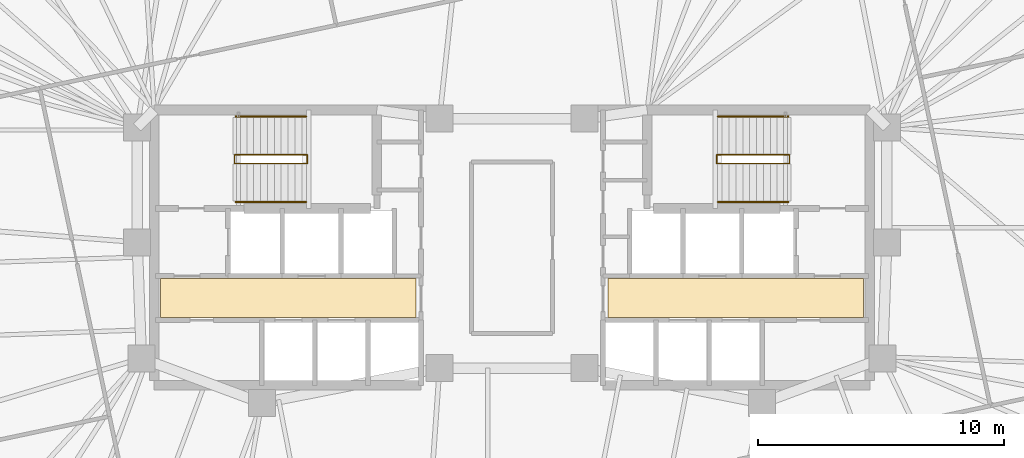
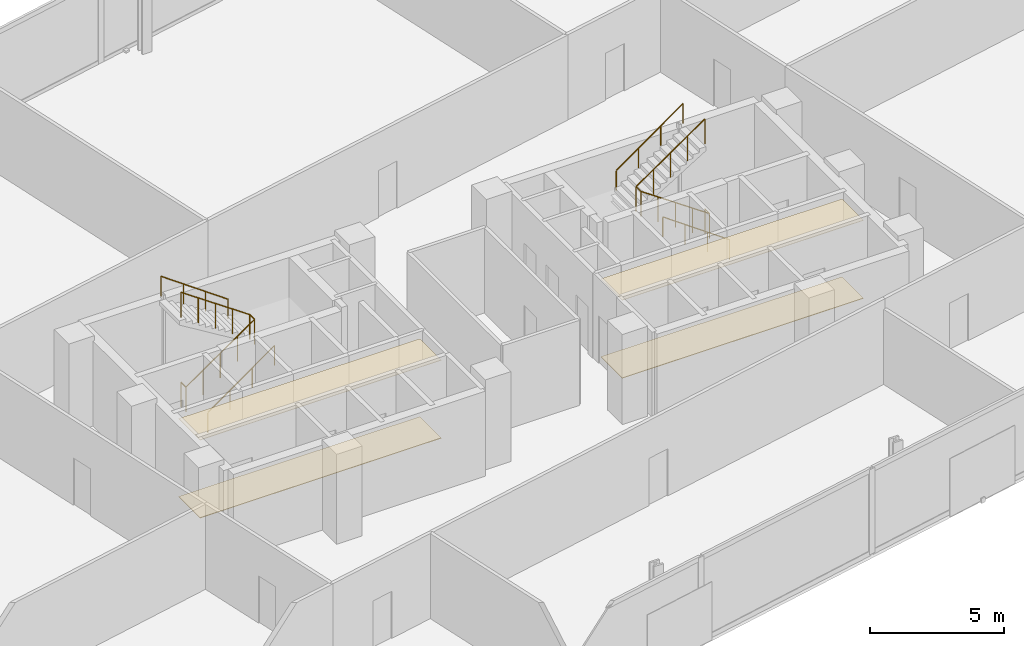
# One storey, part 15 of 15: 6 railings, 4 coverings.
"""IFC4 building model written with IfcOpenShell, lengths in metres."""

from ifc_helpers import new_model, si_unit, direction, frame, origin, origin_2d, place, context, subcontext, project, spatial, polyline, circle, outline, extrude, material, layer, layer_set, type_object, element, save


model = new_model("IFC4")

# Units and contexts
model_context = context("Model", 3, precision=1e-05, world=origin(), true_north=direction((0.0, 1.0)))
body_context = subcontext(model_context, "Body", "Model", "MODEL_VIEW")
ifc_project = project(units=[si_unit("LENGTHUNIT", "METRE"), si_unit("AREAUNIT", "SQUARE_METRE"), si_unit("VOLUMEUNIT", "CUBIC_METRE"), si_unit("PLANEANGLEUNIT", "RADIAN"), si_unit("MASSUNIT", "GRAM", prefix="KILO")], contexts=[model_context])

# Site, building, storey
site_placement = place(None, origin())
site = spatial("IfcSite", under=ifc_project, at=site_placement, CompositionType="ELEMENT")
building_placement = place(site_placement, origin())
building = spatial("IfcBuilding", under=site, at=building_placement, Name="Menara Jurai Vektor", CompositionType="ELEMENT")
storey_placement = place(building_placement, frame((0.0, 0.0, 147.300048828125)))
storey = spatial("IfcBuildingStorey", under=building, at=storey_placement, Name="L37", CompositionType="ELEMENT", Elevation=147.300048828125)

# Coverings
ifc_material_1 = material(Name="Mineral Fibre Acoustic Ceiling Tile", Category="gypsum")
ifc_layer_1 = layer(ifc_material_1, 0.02001953125)
ifc_layer_set_1 = layer_set([ifc_layer_1], Name="Mineral Fibre Acoustic Ceiling Tile")
covering_type_1 = type_object("IfcCoveringType", Name="COV-CEILING-ACOUSTIC", PredefinedType="CEILING", material=ifc_layer_set_1)
covering_1_placement = place(storey_placement, frame((0.0, 0.0, 3.554931640625)))
element("IfcCovering", 1, at=covering_1_placement, inside=storey, type_object=covering_type_1, Name="Acoustic Lift Lobby Ceiling W L37", PredefinedType="CEILING", context=body_context, shape_type="SweptSolid", body=[
    extrude(outline(polyline([(-14.300048828125, -2.85009765625), (-3.89990234375, -2.85009765625), (-3.89990234375, -1.25), (-14.300048828125, -1.25), (-14.300048828125, -2.85009765625)])), origin(), (0.0, 0.0, 1.0), 0.02001953125),
])
covering_2_placement = place(storey_placement, frame((0.0, 0.0, 3.554931640625)))
element("IfcCovering", 2, at=covering_2_placement, inside=storey, type_object=covering_type_1, Name="Acoustic Lift Lobby Ceiling E L37", PredefinedType="CEILING", context=body_context, shape_type="SweptSolid", body=[
    extrude(outline(polyline([(3.89990234375, -2.85009765625), (14.300048828125, -2.85009765625), (14.300048828125, -1.25), (3.89990234375, -1.25), (3.89990234375, -2.85009765625)])), origin(), (0.0, 0.0, 1.0), 0.02001953125),
])
ifc_material_2 = material(Name="Honed Granite Lobby Flooring", Category="masonry")
ifc_layer_2 = layer(ifc_material_2, 0.02490234375)
ifc_layer_set_2 = layer_set([ifc_layer_2], Name="Honed Granite Lobby Flooring")
covering_type_2 = type_object("IfcCoveringType", Name="COV-FLOOR-STONE", PredefinedType="FLOORING", material=ifc_layer_set_2)
covering_3_placement = place(storey_placement, origin())
element("IfcCovering", 3, at=covering_3_placement, inside=storey, type_object=covering_type_2, Name="Granite Lift Lobby Flooring W L37", PredefinedType="FLOORING", context=body_context, shape_type="SweptSolid", body=[
    extrude(outline(polyline([(-14.300048828125, -2.85009765625), (-3.89990234375, -2.85009765625), (-3.89990234375, -1.25), (-14.300048828125, -1.25), (-14.300048828125, -2.85009765625)])), origin(), (0.0, 0.0, 1.0), 0.02490234375),
])
covering_4_placement = place(storey_placement, origin())
element("IfcCovering", 4, at=covering_4_placement, inside=storey, type_object=covering_type_2, Name="Granite Lift Lobby Flooring E L37", PredefinedType="FLOORING", context=body_context, shape_type="SweptSolid", body=[
    extrude(outline(polyline([(3.89990234375, -2.85009765625), (14.300048828125, -2.85009765625), (14.300048828125, -1.25), (3.89990234375, -1.25), (3.89990234375, -2.85009765625)])), origin(), (0.0, 0.0, 1.0), 0.02490234375),
])

# Railings
ifc_material_3 = material(Name="Painted Galvanised Steel Balustrade", Category="steel")
railing_type_1 = type_object("IfcRailingType", Name="RAIL-STAIR-GUARD", PredefinedType="GUARDRAIL", material=ifc_material_3)
railing_1_placement = place(storey_placement, frame((-11.2900390625, 3.780029296875, 0.0)))
element("IfcRailing", 5, at=railing_1_placement, inside=storey, type_object=railing_type_1, Name="ST1 Stair Guardrail 1 L37", PredefinedType="GUARDRAIL", context=body_context, shape_type="SweptSolid", body=[
    extrude(circle(Radius=0.02392578125, at=origin_2d()), frame((0.0, 0.0, 1.1259765625), z_axis=(0.0, -1.0, 0.0), x_axis=(1.0, 0.0, 0.0)), (0.0, 0.0, 1.0), 0.360107421875),
    extrude(circle(Radius=0.02392578125, at=origin_2d()), frame((0.0, -0.360107421875, 1.1259765625), z_axis=(0.822082330295, 0.0, 0.569368634732), x_axis=(0.0, 1.0, 0.0)), (0.0, 0.0, 1.0), 3.6005859375),
    extrude(circle(Radius=0.02392578125, at=origin_2d()), frame((2.9599609375, -0.360107421875, 3.17578125), z_axis=(0.0, 1.0, 0.0), x_axis=(-1.0, 0.0, 0.0)), (0.0, 0.0, 1.0), 0.360107421875),
    extrude(circle(Radius=0.02392578125, at=origin_2d()), frame((2.9599609375, 0.0, 3.17578125), z_axis=(-0.822114068147, 0.0, 0.569322807338), x_axis=(0.0, -1.0, 0.0)), (0.0, 0.0, 1.0), 3.600341796875),
    extrude(circle(Radius=0.02099609375, at=origin_2d()), origin(), (0.0, 0.0, 1.0), 1.101806640625),
    extrude(circle(Radius=0.02099609375, at=origin_2d()), frame((0.0, -0.360107421875, 0.0)), (0.0, 0.0, 1.0), 1.101806640625),
    extrude(circle(Radius=0.02099609375, at=origin_2d()), frame((0.739990234375, -0.360107421875, 0.512451171875)), (0.0, 0.0, 1.0), 1.101806640625),
    extrude(circle(Radius=0.02099609375, at=origin_2d()), frame((1.47998046875, -0.360107421875, 1.02490234375)), (0.0, 0.0, 1.0), 1.101806640625),
    extrude(circle(Radius=0.02099609375, at=origin_2d()), frame((2.219970703125, -0.360107421875, 1.53759765625)), (0.0, 0.0, 1.0), 1.101806640625),
    extrude(circle(Radius=0.02099609375, at=origin_2d()), frame((2.9599609375, -0.360107421875, 2.050048828125)), (0.0, 0.0, 1.0), 1.101806640625),
    extrude(circle(Radius=0.02099609375, at=origin_2d()), frame((2.9599609375, 0.0, 2.050048828125)), (0.0, 0.0, 1.0), 1.101806640625),
    extrude(circle(Radius=0.02099609375, at=origin_2d()), frame((2.219970703125, 0.0, 2.5625)), (0.0, 0.0, 1.0), 1.101806640625),
    extrude(circle(Radius=0.02099609375, at=origin_2d()), frame((1.47998046875, 0.0, 3.074951171875)), (0.0, 0.0, 1.0), 1.101806640625),
    extrude(circle(Radius=0.02099609375, at=origin_2d()), frame((0.739990234375, 0.0, 3.58740234375)), (0.0, 0.0, 1.0), 1.101806640625),
    extrude(circle(Radius=0.02099609375, at=origin_2d()), frame((0.0, 0.0, 4.099853515625)), (0.0, 0.0, 1.0), 1.101806640625),
])
railing_2_placement = place(storey_placement, frame((11.2900390625, 3.780029296875, 0.0)))
element("IfcRailing", 6, at=railing_2_placement, inside=storey, type_object=railing_type_1, Name="ST2 Stair Guardrail 1 L37", PredefinedType="GUARDRAIL", context=body_context, shape_type="SweptSolid", body=[
    extrude(circle(Radius=0.02392578125, at=origin_2d()), frame((0.0, 0.0, 1.1259765625), z_axis=(0.0, -1.0, 0.0), x_axis=(1.0, 0.0, 0.0)), (0.0, 0.0, 1.0), 0.360107421875),
    extrude(circle(Radius=0.02392578125, at=origin_2d()), frame((0.0, -0.360107421875, 1.1259765625), z_axis=(-0.822082330295, 0.0, 0.569368634732), x_axis=(0.0, -1.0, 0.0)), (0.0, 0.0, 1.0), 3.6005859375),
    extrude(circle(Radius=0.02392578125, at=origin_2d()), frame((-2.9599609375, -0.360107421875, 3.17578125), z_axis=(0.0, 1.0, 0.0), x_axis=(-1.0, 0.0, 0.0)), (0.0, 0.0, 1.0), 0.360107421875),
    extrude(circle(Radius=0.02392578125, at=origin_2d()), frame((-2.9599609375, 0.0, 3.17578125), z_axis=(0.822114068147, 0.0, 0.569322807338), x_axis=(0.0, 1.0, 0.0)), (0.0, 0.0, 1.0), 3.600341796875),
    extrude(circle(Radius=0.02099609375, at=origin_2d()), origin(), (0.0, 0.0, 1.0), 1.101806640625),
    extrude(circle(Radius=0.02099609375, at=origin_2d()), frame((0.0, -0.360107421875, 0.0)), (0.0, 0.0, 1.0), 1.101806640625),
    extrude(circle(Radius=0.02099609375, at=origin_2d()), frame((-0.739990234375, -0.360107421875, 0.512451171875)), (0.0, 0.0, 1.0), 1.101806640625),
    extrude(circle(Radius=0.02099609375, at=origin_2d()), frame((-1.47998046875, -0.360107421875, 1.02490234375)), (0.0, 0.0, 1.0), 1.101806640625),
    extrude(circle(Radius=0.02099609375, at=origin_2d()), frame((-2.219970703125, -0.360107421875, 1.53759765625)), (0.0, 0.0, 1.0), 1.101806640625),
    extrude(circle(Radius=0.02099609375, at=origin_2d()), frame((-2.9599609375, -0.360107421875, 2.050048828125)), (0.0, 0.0, 1.0), 1.101806640625),
    extrude(circle(Radius=0.02099609375, at=origin_2d()), frame((-2.9599609375, 0.0, 2.050048828125)), (0.0, 0.0, 1.0), 1.101806640625),
    extrude(circle(Radius=0.02099609375, at=origin_2d()), frame((-2.219970703125, 0.0, 2.5625)), (0.0, 0.0, 1.0), 1.101806640625),
    extrude(circle(Radius=0.02099609375, at=origin_2d()), frame((-1.47998046875, 0.0, 3.074951171875)), (0.0, 0.0, 1.0), 1.101806640625),
    extrude(circle(Radius=0.02099609375, at=origin_2d()), frame((-0.739990234375, 0.0, 3.58740234375)), (0.0, 0.0, 1.0), 1.101806640625),
    extrude(circle(Radius=0.02099609375, at=origin_2d()), frame((0.0, 0.0, 4.099853515625)), (0.0, 0.0, 1.0), 1.101806640625),
])
ifc_material_4 = material(Name="Brushed Stainless Steel Handrail", Category="steel")
railing_type_2 = type_object("IfcRailingType", Name="RAIL-STAIR-HAND", PredefinedType="HANDRAIL", material=ifc_material_4)
railing_3_placement = place(storey_placement, frame((-11.25, 1.860107421875, 0.0)))
element("IfcRailing", 7, at=railing_3_placement, inside=storey, type_object=railing_type_2, Name="ST1 Stair Handrail 1 L37", PredefinedType="HANDRAIL", context=body_context, shape_type="SweptSolid", body=[
    extrude(circle(Radius=0.02392578125, at=origin_2d()), frame((0.0, 0.0, 0.89599609375), z_axis=(0.814670365599, 0.0, 0.579924301452), x_axis=(0.0, 1.0, 0.0)), (0.0, 0.0, 1.0), 3.534912109375),
    extrude(circle(Radius=0.02099609375, at=origin_2d()), origin(), (0.0, 0.0, 1.0), 0.871826171875),
    extrude(circle(Radius=0.02099609375, at=origin_2d()), frame((0.9599609375, 0.0, 0.683349609375)), (0.0, 0.0, 1.0), 0.871826171875),
    extrude(circle(Radius=0.02099609375, at=origin_2d()), frame((1.919921875, 0.0, 1.36669921875)), (0.0, 0.0, 1.0), 0.871826171875),
    extrude(circle(Radius=0.02099609375, at=origin_2d()), frame((2.8798828125, 0.0, 2.050048828125)), (0.0, 0.0, 1.0), 0.871826171875),
])
railing_4_placement = place(storey_placement, frame((-8.3701171875, 5.340087890625, 2.050048828125)))
element("IfcRailing", 8, at=railing_4_placement, inside=storey, type_object=railing_type_2, Name="ST1 Stair Handrail 2 L37", PredefinedType="HANDRAIL", context=body_context, shape_type="SweptSolid", body=[
    extrude(circle(Radius=0.02392578125, at=origin_2d()), frame((0.0, 0.0, 0.89599609375), z_axis=(-0.814702994362, 0.0, 0.579878462247), x_axis=(0.0, -1.0, 0.0)), (0.0, 0.0, 1.0), 3.534912109375),
    extrude(circle(Radius=0.02099609375, at=origin_2d()), origin(), (0.0, 0.0, 1.0), 0.871826171875),
    extrude(circle(Radius=0.02099609375, at=origin_2d()), frame((-0.9599609375, 0.0, 0.683349609375)), (0.0, 0.0, 1.0), 0.871826171875),
    extrude(circle(Radius=0.02099609375, at=origin_2d()), frame((-1.919921875, 0.0, 1.366455078125)), (0.0, 0.0, 1.0), 0.871826171875),
    extrude(circle(Radius=0.02099609375, at=origin_2d()), frame((-2.8798828125, 0.0, 2.0498046875)), (0.0, 0.0, 1.0), 0.871826171875),
])
railing_5_placement = place(storey_placement, frame((11.25, 1.860107421875, 0.0)))
element("IfcRailing", 9, at=railing_5_placement, inside=storey, type_object=railing_type_2, Name="ST2 Stair Handrail 1 L37", PredefinedType="HANDRAIL", context=body_context, shape_type="SweptSolid", body=[
    extrude(circle(Radius=0.02392578125, at=origin_2d()), frame((0.0, 0.0, 0.89599609375), z_axis=(-0.814670365599, 0.0, 0.579924301452), x_axis=(0.0, -1.0, 0.0)), (0.0, 0.0, 1.0), 3.534912109375),
    extrude(circle(Radius=0.02099609375, at=origin_2d()), origin(), (0.0, 0.0, 1.0), 0.871826171875),
    extrude(circle(Radius=0.02099609375, at=origin_2d()), frame((-0.9599609375, 0.0, 0.683349609375)), (0.0, 0.0, 1.0), 0.871826171875),
    extrude(circle(Radius=0.02099609375, at=origin_2d()), frame((-1.919921875, 0.0, 1.36669921875)), (0.0, 0.0, 1.0), 0.871826171875),
    extrude(circle(Radius=0.02099609375, at=origin_2d()), frame((-2.8798828125, 0.0, 2.050048828125)), (0.0, 0.0, 1.0), 0.871826171875),
])
railing_6_placement = place(storey_placement, frame((8.3701171875, 5.340087890625, 2.050048828125)))
element("IfcRailing", 10, at=railing_6_placement, inside=storey, type_object=railing_type_2, Name="ST2 Stair Handrail 2 L37", PredefinedType="HANDRAIL", context=body_context, shape_type="SweptSolid", body=[
    extrude(circle(Radius=0.02392578125, at=origin_2d()), frame((0.0, 0.0, 0.89599609375), z_axis=(0.814702994362, 0.0, 0.579878462247), x_axis=(0.0, 1.0, 0.0)), (0.0, 0.0, 1.0), 3.534912109375),
    extrude(circle(Radius=0.02099609375, at=origin_2d()), origin(), (0.0, 0.0, 1.0), 0.871826171875),
    extrude(circle(Radius=0.02099609375, at=origin_2d()), frame((0.9599609375, 0.0, 0.683349609375)), (0.0, 0.0, 1.0), 0.871826171875),
    extrude(circle(Radius=0.02099609375, at=origin_2d()), frame((1.919921875, 0.0, 1.366455078125)), (0.0, 0.0, 1.0), 0.871826171875),
    extrude(circle(Radius=0.02099609375, at=origin_2d()), frame((2.8798828125, 0.0, 2.0498046875)), (0.0, 0.0, 1.0), 0.871826171875),
])

save(model, "model.ifc")
